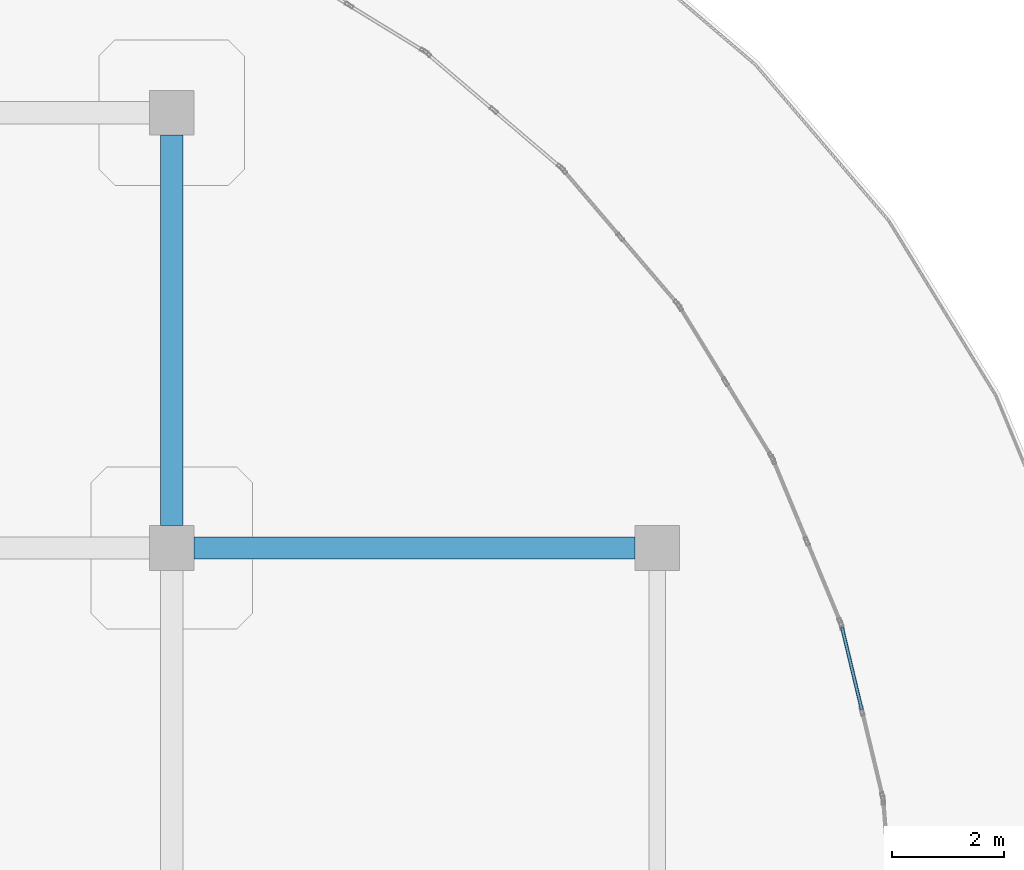
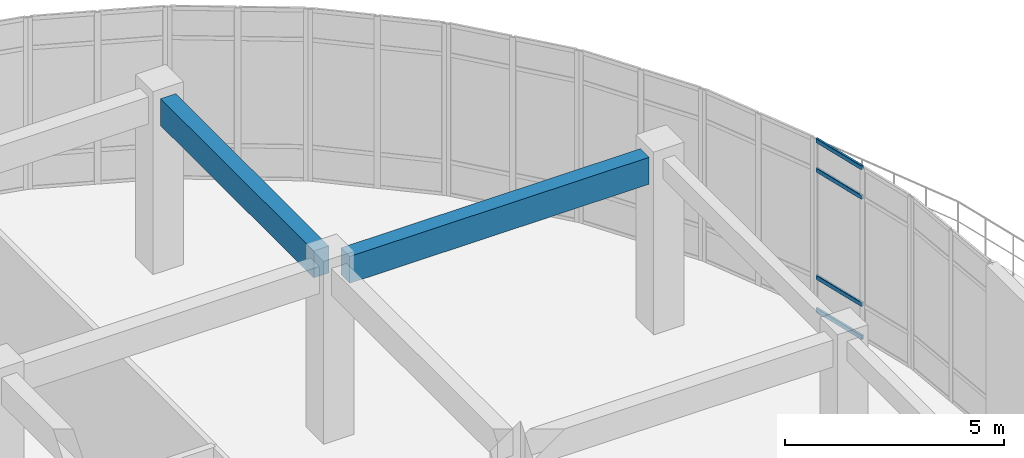
# One storey, part 87 of 124: 4 members, 2 beams, 1 element without a shape of its own.
"""IFC4 building model written with IfcOpenShell, lengths in metres."""

from ifc_helpers import new_model, si_unit, derived_unit, direction, frame, origin, origin_2d, place, context, subcontext, project, spatial, rectangle, hollow_rectangle, extrude, material, layer, layer_set, material_profile, profile_set, type_object, element, aggregate, save


model = new_model("IFC4")

# Units and contexts
model_context = context("Model", 3, precision=1e-05, world=origin(), true_north=direction((0.0, 1.0)))
body_context = subcontext(model_context, "Body", "Model", "MODEL_VIEW")
ifc_project = project(units=[si_unit("LENGTHUNIT", "METRE"), si_unit("AREAUNIT", "SQUARE_METRE"), si_unit("VOLUMEUNIT", "CUBIC_METRE"), si_unit("PLANEANGLEUNIT", "RADIAN"), si_unit("MASSUNIT", "GRAM", prefix="KILO"), derived_unit("THERMALTRANSMITTANCEUNIT", [(si_unit("MASSUNIT", "GRAM", prefix="KILO"), 1), (si_unit("TIMEUNIT", "SECOND"), -3), (si_unit("THERMODYNAMICTEMPERATUREUNIT", "KELVIN"), -1)])], contexts=[model_context])

# Site, building, storey
site_placement = place(None, origin())
site = spatial("IfcSite", under=ifc_project, at=site_placement, CompositionType="ELEMENT")
building_placement = place(site_placement, origin())
building = spatial("IfcBuilding", under=site, at=building_placement, Name="Qinzheling Arcade Emporium", CompositionType="ELEMENT")
storey_placement = place(building_placement, frame((0.0, 0.0, 16.5)))
storey = spatial("IfcBuildingStorey", under=building, at=storey_placement, Name="L04", CompositionType="ELEMENT", Elevation=16.5)

# Curtain wall, members
ifc_material_1 = material(Name="Anodised aluminium and solar-control double glazing", Category="aluminium")
ifc_layer = layer(ifc_material_1, 0.159912109375, Name="Anodised aluminium and solar-control double glazing", Category="aluminium")
ifc_layer_set = layer_set([ifc_layer], Name="Anodised aluminium and solar-control double glazing")
curtain_wall_type = type_object("IfcCurtainWallType", Name="Curved Ribbon Sales Curtain Wall", PredefinedType="NOTDEFINED", material=ifc_layer_set)
curtain_wall_placement = place(storey_placement, origin())
curtain_wall = element("IfcCurtainWall", 1, at=curtain_wall_placement, inside=storey, type_object=curtain_wall_type, Name="Curtain Wall CW-L04-272", PredefinedType="NOTDEFINED")
ifc_material_2 = material(Name="Anodised aluminium 6063-T6", Category="aluminium")
ifc_material_profile_1 = material_profile(ifc_material_2, hollow_rectangle(XDim=0.06005859375, YDim=0.1201171875, WallThickness=0.00390625, InnerFilletRadius=0.00390625, OuterFilletRadius=0.008056640625, at=origin_2d()), Name="RHS 120x60x4", Category="aluminium")
ifc_profile_set_1 = profile_set([ifc_material_profile_1], Name="Anodised aluminium 6063-T6")
member_type = type_object("IfcMemberType", Name="Curtain Wall Transom RHS120x60", PredefinedType="USERDEFINED", material=ifc_profile_set_1)
member_1_placement = place(storey_placement, frame((142.510986328125, 97.57666015625, 0.030029296875), z_axis=(0.233445920999, -0.972369786639, 0.0), x_axis=(0.972369786639, 0.233445920999, 0.0)))
member_1 = element("IfcMember", 2, at=member_1_placement, type_object=member_type, Name="CW02 transom 1.1", ObjectType="TRANSOM", PredefinedType="USERDEFINED", context=body_context, shape_type="SweptSolid", body=[
    extrude(hollow_rectangle(XDim=0.06005859375, YDim=0.1201171875, WallThickness=0.00390625, InnerFilletRadius=0.00390625, OuterFilletRadius=0.008056640625, at=origin_2d()), origin(), (0.0, 0.0, 1.0), 1.5185546875),
])
member_2_placement = place(storey_placement, frame((142.510986328125, 97.57666015625, 0.949951171875), z_axis=(0.233445920999, -0.972369786639, 0.0), x_axis=(0.972369786639, 0.233445920999, 0.0)))
member_2 = element("IfcMember", 3, at=member_2_placement, type_object=member_type, Name="CW02 transom 1.2", ObjectType="TRANSOM", PredefinedType="USERDEFINED", context=body_context, shape_type="SweptSolid", body=[
    extrude(hollow_rectangle(XDim=0.06005859375, YDim=0.1201171875, WallThickness=0.00390625, InnerFilletRadius=0.00390625, OuterFilletRadius=0.008056640625, at=origin_2d()), origin(), (0.0, 0.0, 1.0), 1.5185546875),
])
member_3_placement = place(storey_placement, frame((142.510986328125, 97.57666015625, 3.93994140625), z_axis=(0.233445920999, -0.972369786639, 0.0), x_axis=(0.972369786639, 0.233445920999, 0.0)))
member_3 = element("IfcMember", 4, at=member_3_placement, type_object=member_type, Name="CW02 transom 1.3", ObjectType="TRANSOM", PredefinedType="USERDEFINED", context=body_context, shape_type="SweptSolid", body=[
    extrude(hollow_rectangle(XDim=0.06005859375, YDim=0.1201171875, WallThickness=0.00390625, InnerFilletRadius=0.00390625, OuterFilletRadius=0.008056640625, at=origin_2d()), origin(), (0.0, 0.0, 1.0), 1.5185546875),
])
member_4_placement = place(storey_placement, frame((142.510986328125, 97.57666015625, 4.760009765625), z_axis=(0.233445920999, -0.972369786639, 0.0), x_axis=(0.972369786639, 0.233445920999, 0.0)))
member_4 = element("IfcMember", 5, at=member_4_placement, type_object=member_type, Name="CW02 transom 1.4", ObjectType="TRANSOM", PredefinedType="USERDEFINED", context=body_context, shape_type="SweptSolid", body=[
    extrude(hollow_rectangle(XDim=0.06005859375, YDim=0.1201171875, WallThickness=0.00390625, InnerFilletRadius=0.00390625, OuterFilletRadius=0.008056640625, at=origin_2d()), origin(), (0.0, 0.0, 1.0), 1.5185546875),
])
aggregate(curtain_wall, [member_1, member_2, member_3, member_4])

# Beams
ifc_material_3 = material(Name="Concrete C40", Category="concrete")
ifc_material_profile_2 = material_profile(ifc_material_3, rectangle(XDim=0.39990234375, YDim=0.75, at=origin_2d()), Name="RC 400x750", Category="concrete")
ifc_profile_set_2 = profile_set([ifc_material_profile_2], Name="Concrete C40")
beam_type = type_object("IfcBeamType", Name="RC Interior Tie Beam 400x750 C40", PredefinedType="BEAM", material=ifc_profile_set_2)
beam_1_placement = place(storey_placement, frame((130.89990234375, 99.0, 4.4599609375), z_axis=(1.0, 0.0, 0.0), x_axis=(0.0, 1.0, 0.0)))
element("IfcBeam", 6, at=beam_1_placement, inside=storey, type_object=beam_type, Name="Beam BM-L04-X-M-16", PredefinedType="BEAM", context=body_context, shape_type="SweptSolid", body=[
    extrude(rectangle(XDim=0.39990234375, YDim=0.75, at=origin_2d()), origin(), (0.0, 0.0, 1.0), 7.900146484375),
])
beam_2_placement = place(storey_placement, frame((130.5, 99.39990234375, 4.4599609375), z_axis=(0.0, 1.0, 0.0), x_axis=(-1.0, 0.0, 0.0)))
element("IfcBeam", 7, at=beam_2_placement, inside=storey, type_object=beam_type, Name="Beam BM-L04-Y-16-M", PredefinedType="BEAM", context=body_context, shape_type="SweptSolid", body=[
    extrude(rectangle(XDim=0.39990234375, YDim=0.75, at=origin_2d()), origin(), (0.0, 0.0, 1.0), 7.0),
])

save(model, "model.ifc")
